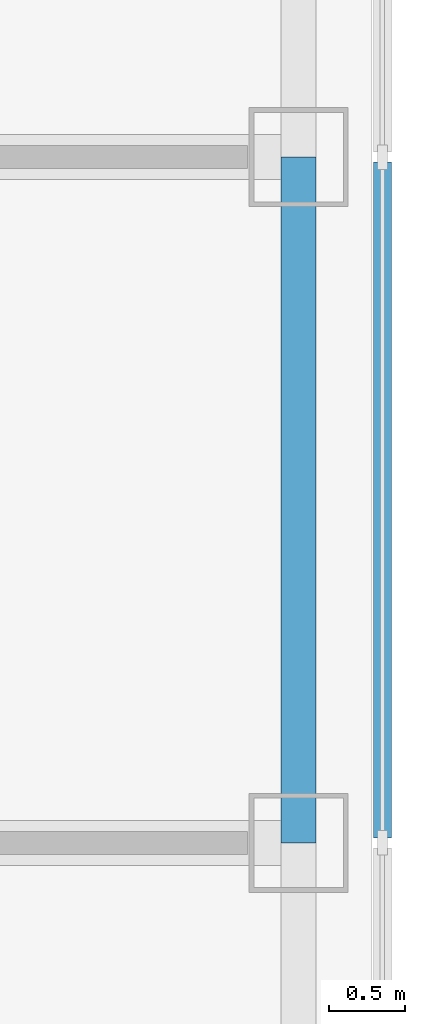
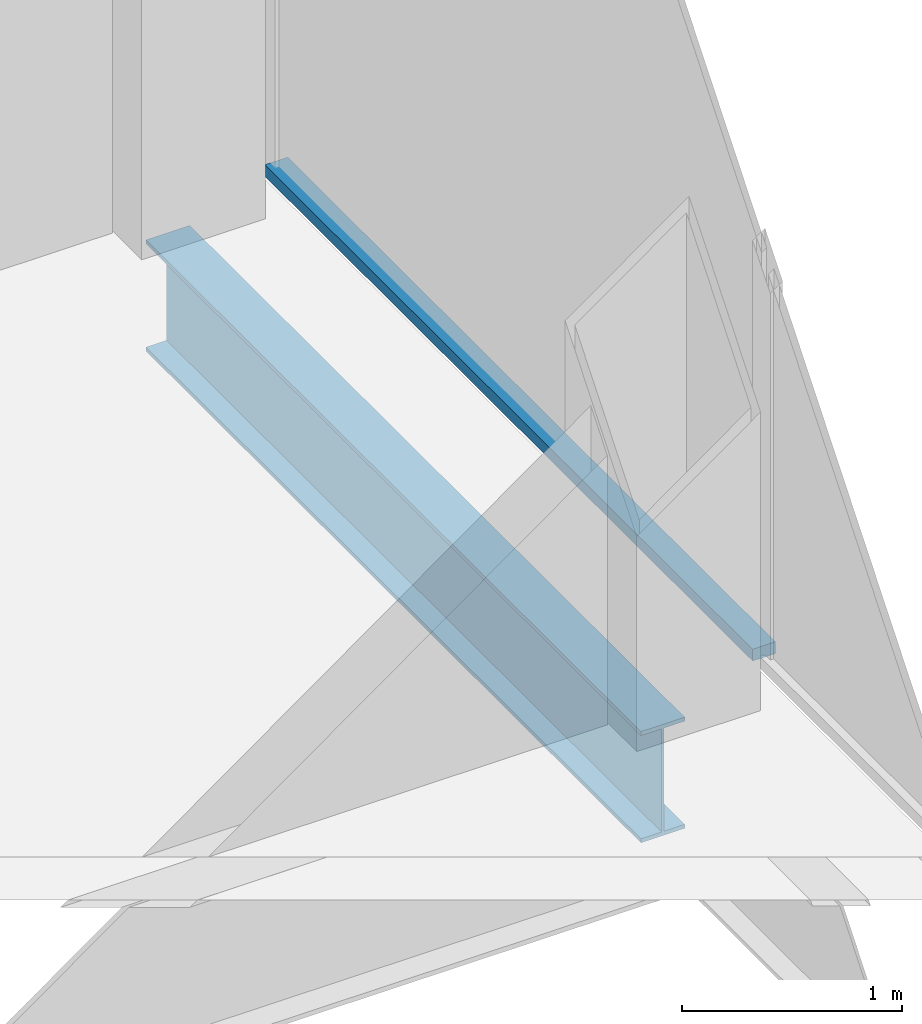
# One storey, part 5 of 14: 1 beam, 1 member, 1 element without a shape of its own.
"""IFC4 building model written with IfcOpenShell, lengths in metres."""

import ifcopenshell
import ifcopenshell.guid

model = None  # the IFC model being written
_history = None  # IfcOwnerHistory: only IFC2X3 demands one
_inside = {}  # id of a spatial element -> (the spatial element, [elements in it])
_under = {}  # id of a project, library or spatial element -> (it, [spatial elements below it])
_declared = {}  # id of a project -> (the project, [libraries it declares])
_typed = {}  # id of a type object -> (the type object, [elements of that type])
_made_of = {}  # id of a material, layer set ... -> (it, [elements and type objects made of it])


def new_model(schema):
    """Start an empty IFC model of exactly this schema.

    Asked for "IFC4X3", IfcOpenShell would pick the latest addendum, in which some entities
    have other attributes; the version numbers below select the first issue.
    IFC2X3 requires an IfcOwnerHistory on every rooted entity: one is made here for all.
    """
    global model, _history
    if schema == "IFC4X3":
        model = ifcopenshell.file(schema_version=(4, 3, 0, 0))
    else:
        model = ifcopenshell.file(schema=schema)
    _inside.clear()
    _under.clear()
    _declared.clear()
    _typed.clear()
    _made_of.clear()
    _history = None
    if model.schema == "IFC2X3":
        org = make("IfcOrganization", Name="unknown")
        user = make(
            "IfcPersonAndOrganization",
            ThePerson=make("IfcPerson", FamilyName="unknown"),
            TheOrganization=org,
        )
        app = make(
            "IfcApplication",
            ApplicationDeveloper=org,
            Version="unknown",
            ApplicationFullName="unknown",
            ApplicationIdentifier="unknown",
        )
        _history = make(
            "IfcOwnerHistory",
            OwningUser=user,
            OwningApplication=app,
            ChangeAction="ADDED",
            CreationDate=0,
        )
    return model


def make(cls, **values):
    """One entity of the class cls with the attributes given. An attribute that is None is left unset."""
    return model.create_entity(
        cls, **{name: value for name, value in values.items() if value is not None}
    )


def rooted(cls, **values):
    """An entity with a GlobalId (a new one), such as an element, a storey or a relation."""
    return make(cls, GlobalId=ifcopenshell.guid.new(), OwnerHistory=_history, **values)


def si_unit(unit_type, name, prefix=None):
    """IfcSIUnit, for example si_unit("LENGTHUNIT", "METRE", prefix="MILLI")."""
    return make("IfcSIUnit", UnitType=unit_type, Prefix=prefix, Name=name)


def assignment(units):
    """IfcUnitAssignment: the units of a project."""
    return None if units is None else make("IfcUnitAssignment", Units=units)


def point(xyz):
    """IfcCartesianPoint."""
    return None if xyz is None else make("IfcCartesianPoint", Coordinates=xyz)


def direction(xyz):
    """IfcDirection."""
    return None if xyz is None else make("IfcDirection", DirectionRatios=xyz)


def frame(location, z_axis=None, x_axis=None):
    """IfcAxis2Placement3D, a coordinate frame: its origin and axes. An axis left out is left unset."""
    return make(
        "IfcAxis2Placement3D",
        Location=point(location),
        Axis=direction(z_axis),
        RefDirection=direction(x_axis),
    )


def frame_2d(location, x_axis=None):
    """IfcAxis2Placement2D, a coordinate frame in the plane: its origin and x axis."""
    return make(
        "IfcAxis2Placement2D", Location=point(location), RefDirection=direction(x_axis)
    )


def origin():
    """The frame at (0, 0, 0) with its axes left unset."""
    return frame((0.0, 0.0, 0.0))


def origin_2d():
    """The frame at (0, 0) in the plane with its x axis left unset."""
    return frame_2d((0.0, 0.0))


def place(relative_to, where):
    """IfcLocalPlacement: puts the frame where relative to a parent placement (None: the world)."""
    return make(
        "IfcLocalPlacement", PlacementRelTo=relative_to, RelativePlacement=where
    )


def context(
    kind, dimensions, precision=None, world=None, true_north=None, identifier=None
):
    """IfcGeometricRepresentationContext, for example the 3D "Model" context."""
    return make(
        "IfcGeometricRepresentationContext",
        ContextIdentifier=identifier,
        ContextType=kind,
        CoordinateSpaceDimension=dimensions,
        Precision=precision,
        WorldCoordinateSystem=world,
        TrueNorth=true_north,
    )


def subcontext(parent, identifier, kind, view, scale=None):
    """IfcGeometricRepresentationSubContext, for example "Body" below "Model"."""
    return make(
        "IfcGeometricRepresentationSubContext",
        ContextIdentifier=identifier,
        ContextType=kind,
        ParentContext=parent,
        TargetScale=scale,
        TargetView=view,
    )


def project(units=None, contexts=None):
    """IfcProject with its units and contexts."""
    return rooted(
        "IfcProject",
        Name="project",
        RepresentationContexts=contexts,
        UnitsInContext=assignment(units),
    )


def spatial(cls, under=None, at=None, **own):
    """A site, building, storey or space (cls), placed at a placement, below another one or the project."""
    s = rooted(cls, ObjectPlacement=at, **own)
    if under is not None:
        _under.setdefault(under.id(), (under, []))[1].append(s)
    return s


def profile(cls, at=None, kind="AREA", **sizes):
    """A parametric profile (cls). Its sizes go by their IFC names, for example OverallWidth=200.0."""
    return make(cls, ProfileType=kind, Position=at, **sizes)


def rectangle(**sizes):
    """IfcRectangleProfileDef."""
    return profile("IfcRectangleProfileDef", **sizes)


def i_section(**sizes):
    """IfcIShapeProfileDef."""
    return profile("IfcIShapeProfileDef", **sizes)


def extrude(swept, where, along, depth):
    """IfcExtrudedAreaSolid: the profile swept, set in the frame where, extruded along a direction by depth."""
    return make(
        "IfcExtrudedAreaSolid",
        SweptArea=swept,
        Position=where,
        ExtrudedDirection=direction(along),
        Depth=depth,
    )


def shape(context_of_items, identifier, shape_type, items):
    """IfcShapeRepresentation: the items that make up one representation, for example the "Body"."""
    return make(
        "IfcShapeRepresentation",
        ContextOfItems=context_of_items,
        RepresentationIdentifier=identifier,
        RepresentationType=shape_type,
        Items=items,
    )


def material(Name=None, Category=None):
    """IfcMaterial."""
    return make("IfcMaterial", Name=Name, Category=Category)


def material_profile(
    of_material, cross_section, Name=None, Category=None, Priority=None
):
    """IfcMaterialProfile: a cross section and its material."""
    return make(
        "IfcMaterialProfile",
        Name=Name,
        Material=of_material,
        Profile=cross_section,
        Priority=Priority,
        Category=Category,
    )


def profile_set(profiles, Name=None, composite=None):
    """IfcMaterialProfileSet."""
    return make(
        "IfcMaterialProfileSet",
        Name=Name,
        MaterialProfiles=profiles,
        CompositeProfile=composite,
    )


def made_of(thing, what):
    """Note that an element or type object is made of a material, layer set ...; save() writes the relation."""
    if what is not None:
        _made_of.setdefault(what.id(), (what, []))[1].append(thing)
    return thing


def type_object(cls, material=None, **own):
    """A type object (cls), such as IfcWallType, which elements share."""
    return made_of(rooted(cls, **own), material)


def element(
    cls,
    number,
    at=None,
    inside=None,
    cuts=None,
    type_object=None,
    material=None,
    context=None,
    identifier="Body",
    shape_type=None,
    held_by="IfcProductDefinitionShape",
    body=None,
    shapes=None,
    **own,
):
    """One element of the class cls, such as IfcWall. Its Tag is "e" and its number.

    at: its placement. inside: the storey or other place that contains it. cuts: it is an
    opening in that element (IfcRelVoidsElement). A single representation is given by context,
    identifier, shape_type and body (its items); several are given by shapes. held_by: the class
    of the entity that holds the representations. save() writes the other relations.
    """
    e = rooted(cls, Tag="e%d" % number, ObjectPlacement=at, **own)
    if body is not None:
        shapes = [shape(context, identifier, shape_type, body)]
    if shapes is not None:
        e.Representation = make(held_by, Representations=shapes)
    if inside is not None:
        _inside.setdefault(inside.id(), (inside, []))[1].append(e)
    if cuts is not None:
        rooted(
            "IfcRelVoidsElement", RelatingBuildingElement=cuts, RelatedOpeningElement=e
        )
    if type_object is not None:
        _typed.setdefault(type_object.id(), (type_object, []))[1].append(e)
    return made_of(e, material)


def aggregate(whole, parts):
    """IfcRelAggregates: a whole, such as a stair, and the parts it consists of."""
    return rooted("IfcRelAggregates", RelatingObject=whole, RelatedObjects=parts)


def save(model, path):
    """Write the relations noted so far, then the file.

    IfcRelAggregates (storeys below a building ...), IfcRelContainedInSpatialStructure (elements
    in a storey), IfcRelDefinesByType, IfcRelAssociatesMaterial and IfcRelDeclares: one each for
    every whole, place, type object, material and project.
    """
    for whole, parts in _under.values():
        aggregate(whole, parts)
    for where, things in _inside.values():
        rooted(
            "IfcRelContainedInSpatialStructure",
            RelatedElements=things,
            RelatingStructure=where,
        )
    for kind, things in _typed.values():
        rooted("IfcRelDefinesByType", RelatedObjects=things, RelatingType=kind)
    for what, things in _made_of.values():
        rooted("IfcRelAssociatesMaterial", RelatedObjects=things, RelatingMaterial=what)
    for by, libraries in _declared.values():
        rooted("IfcRelDeclares", RelatingContext=by, RelatedDefinitions=libraries)
    model.write(path)


model = new_model("IFC4")

# Units and contexts
model_context = context("Model", 3, precision=1e-05, world=origin(), true_north=direction((0.0, 1.0)))
body_context = subcontext(model_context, "Body", "Model", "MODEL_VIEW")
ifc_project = project(units=[si_unit("LENGTHUNIT", "METRE"), si_unit("AREAUNIT", "SQUARE_METRE"), si_unit("VOLUMEUNIT", "CUBIC_METRE"), si_unit("PLANEANGLEUNIT", "RADIAN"), si_unit("MASSUNIT", "GRAM", prefix="KILO")], contexts=[model_context])

# Site, building, storey
site_placement = place(None, origin())
site = spatial("IfcSite", under=ifc_project, at=site_placement, CompositionType="ELEMENT")
building_placement = place(site_placement, origin())
building = spatial("IfcBuilding", under=site, at=building_placement, Name="Corais Broadcast Tower", CompositionType="ELEMENT")
storey_placement = place(building_placement, frame((0.0, 0.0, 218.60009765625)))
storey = spatial("IfcBuildingStorey", under=building, at=storey_placement, Name="L50", CompositionType="ELEMENT", Elevation=218.60009765625)

# Beam
ifc_material_1 = material(Name="Steel ASTM A572 Grade 50", Category="steel")
ifc_material_profile_1 = material_profile(ifc_material_1, i_section(OverallWidth=0.22998046875, OverallDepth=0.616943359375, WebThickness=0.01318359375, FlangeThickness=0.022216796875, at=origin_2d()), Name="W610x140")
ifc_profile_set_1 = profile_set([ifc_material_profile_1], Name="Steel ASTM A572 Grade 50")
beam_type = type_object("IfcBeamType", Name="Spandrel W610x140", PredefinedType="BEAM", material=ifc_profile_set_1)
beam_placement = place(storey_placement, frame((54.0, 27.0, -0.468505859375), z_axis=(0.0, 1.0, 0.0), x_axis=(-1.0, 0.0, 0.0)))
element("IfcBeam", 1, at=beam_placement, inside=storey, type_object=beam_type, Name="SB3 G/15 to H/15", PredefinedType="BEAM", context=body_context, shape_type="SweptSolid", body=[
    extrude(i_section(OverallWidth=0.22998046875, OverallDepth=0.616943359375, WebThickness=0.01318359375, FlangeThickness=0.022216796875, at=origin_2d()), origin(), (0.0, 0.0, 1.0), 4.5),
])

# Curtain wall, member
ifc_material_2 = material(Name="Aluminium and glass", Category="aluminium")
curtain_wall_type = type_object("IfcCurtainWallType", Name="Unitised fritted curtain wall CW3", PredefinedType="NOTDEFINED", material=ifc_material_2)
curtain_wall_placement = place(storey_placement, origin())
curtain_wall = element("IfcCurtainWall", 2, at=curtain_wall_placement, inside=storey, type_object=curtain_wall_type, Name="CW3 curtain wall L50 6", PredefinedType="NOTDEFINED")
ifc_material_3 = material(Name="Aluminium 6063-T6", Category="aluminium")
ifc_material_profile_2 = material_profile(ifc_material_3, rectangle(XDim=0.1201171875, YDim=0.06494140625, at=origin_2d()), Name="Transom CW3 65x120")
ifc_profile_set_2 = profile_set([ifc_material_profile_2], Name="Aluminium 6063-T6")
member_type = type_object("IfcMemberType", Name="Transom CW3 65x120", PredefinedType="USERDEFINED", material=ifc_profile_set_2)
member_placement = place(storey_placement, frame((54.550048828125, 31.467529296875, 0.032470703125), z_axis=(0.0, -1.0, 0.0), x_axis=(1.0, 0.0, 0.0)))
member = element("IfcMember", 3, at=member_placement, type_object=member_type, Name="CW3 transom 3.1", ObjectType="TRANSOM", PredefinedType="USERDEFINED", context=body_context, shape_type="SweptSolid", body=[
    extrude(rectangle(XDim=0.1201171875, YDim=0.06494140625, at=origin_2d()), origin(), (0.0, 0.0, 1.0), 4.43505859375),
])
aggregate(curtain_wall, [member])

save(model, "model.ifc")
